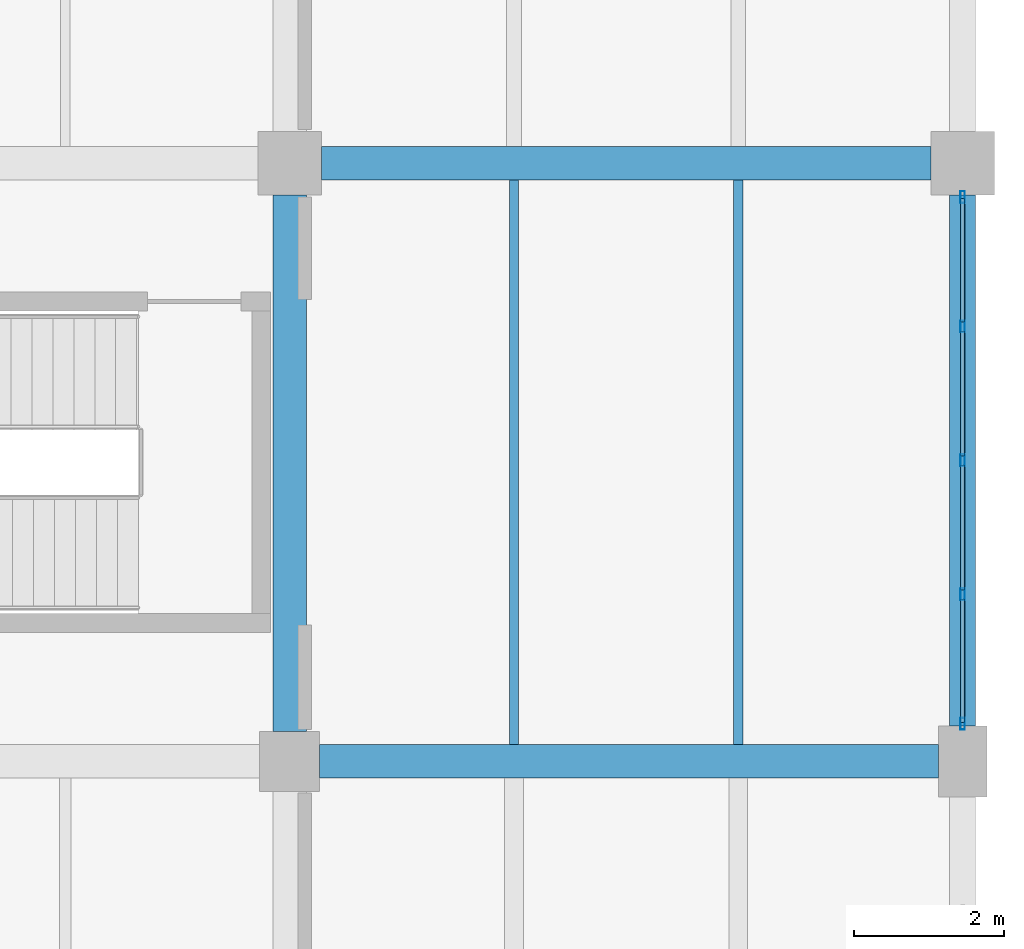
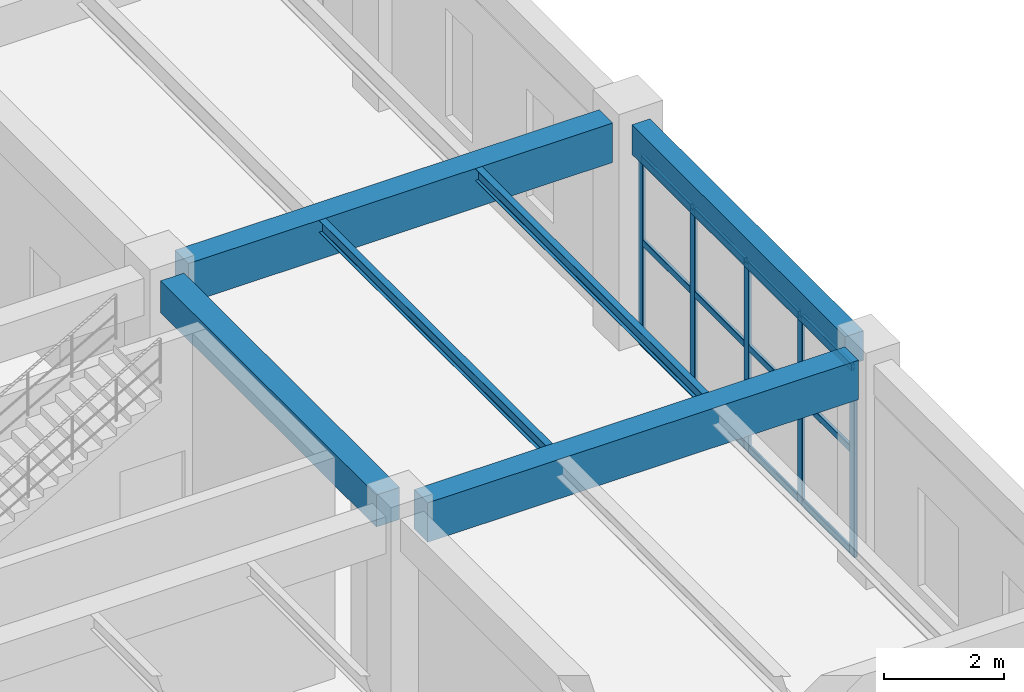
# One storey, part 118 of 178: 17 members, 6 beams, 1 element without a shape of its own.
"""IFC4 building model written with IfcOpenShell, lengths in metres."""

from ifc_helpers import new_model, si_unit, derived_unit, direction, frame, origin, origin_2d, place, context, subcontext, project, spatial, rectangle, hollow_rectangle, i_section, extrude, material, material_profile, profile_set, type_object, element, aggregate, save


model = new_model("IFC4")

# Units and contexts
model_context = context("Model", 3, precision=1e-05, world=origin(), true_north=direction((0.0, 1.0)))
body_context = subcontext(model_context, "Body", "Model", "MODEL_VIEW")
ifc_project = project(units=[si_unit("LENGTHUNIT", "METRE"), si_unit("AREAUNIT", "SQUARE_METRE"), si_unit("VOLUMEUNIT", "CUBIC_METRE"), si_unit("PLANEANGLEUNIT", "RADIAN"), si_unit("MASSUNIT", "GRAM", prefix="KILO"), derived_unit("THERMALTRANSMITTANCEUNIT", [(si_unit("MASSUNIT", "GRAM", prefix="KILO"), 1), (si_unit("TIMEUNIT", "SECOND"), -3), (si_unit("THERMODYNAMICTEMPERATUREUNIT", "KELVIN"), -1)])], contexts=[model_context])

# Site, building, storey
site_placement = place(None, origin())
site = spatial("IfcSite", under=ifc_project, at=site_placement, CompositionType="ELEMENT")
building_placement = place(site_placement, origin())
building = spatial("IfcBuilding", under=site, at=building_placement, Name="Zhenchuan Archway Interchange", CompositionType="ELEMENT")
storey_placement = place(building_placement, frame((0.0, 0.0, 5.39990234375)))
storey = spatial("IfcBuildingStorey", under=building, at=storey_placement, Name="L01", CompositionType="ELEMENT", Elevation=5.39990234375)

# Beams
ifc_material_1 = material(Name="Concrete C40", Category="concrete")
ifc_material_profile_1 = material_profile(ifc_material_1, rectangle(XDim=0.449951171875, YDim=0.64990234375, at=origin_2d()), Name="RC 450x650")
ifc_profile_set_1 = profile_set([ifc_material_profile_1], Name="Concrete C40")
beam_type_1 = type_object("IfcBeamType", Name="BM_RC_450x650", PredefinedType="BEAM", material=ifc_profile_set_1)
beam_1_placement = place(storey_placement, frame((162.0, 16.39990234375, 4.18505859375), z_axis=(0.0, 1.0, 0.0), x_axis=(-1.0, 0.0, 0.0)))
element("IfcBeam", 1, at=beam_1_placement, inside=storey, type_object=beam_type_1, Name="Beam 19:C-D (L01)", PredefinedType="BEAM", context=body_context, shape_type="SweptSolid", body=[
    extrude(rectangle(XDim=0.449951171875, YDim=0.64990234375, at=origin_2d()), origin(), (0.0, 0.0, 1.0), 7.175048828125),
])
ifc_material_profile_2 = material_profile(ifc_material_1, rectangle(XDim=0.449951171875, YDim=0.800048828125, at=origin_2d()), Name="RC 450x800")
ifc_profile_set_2 = profile_set([ifc_material_profile_2], Name="Concrete C40")
beam_type_2 = type_object("IfcBeamType", Name="BM_RC_450x800", PredefinedType="BEAM", material=ifc_profile_set_2)
beam_2_placement = place(storey_placement, frame((162.39990234375, 16.0, 4.110107421875), z_axis=(1.0, 0.0, 0.0), x_axis=(0.0, 1.0, 0.0)))
element("IfcBeam", 2, at=beam_2_placement, inside=storey, type_object=beam_type_2, Name="Beam C:19-20 (L01)", PredefinedType="BEAM", context=body_context, shape_type="SweptSolid", body=[
    extrude(rectangle(XDim=0.449951171875, YDim=0.800048828125, at=origin_2d()), origin(), (0.0, 0.0, 1.0), 8.275146484375),
])
beam_3_placement = place(storey_placement, frame((162.425048828125, 24.0, 4.110107421875), z_axis=(1.0, 0.0, 0.0), x_axis=(0.0, 1.0, 0.0)))
element("IfcBeam", 3, at=beam_3_placement, inside=storey, type_object=beam_type_2, Name="Beam D:19-20 (L01)", PredefinedType="BEAM", context=body_context, shape_type="SweptSolid", body=[
    extrude(rectangle(XDim=0.449951171875, YDim=0.800048828125, at=origin_2d()), origin(), (0.0, 0.0, 1.0), 8.14990234375),
])

# Curtain wall, members
ifc_material_2 = material(Name="Anodised Aluminium", Category="aluminium")
curtain_wall_type = type_object("IfcCurtainWallType", Name="CW_UNIT_1", PredefinedType="NOTDEFINED", material=ifc_material_2)
curtain_wall_placement = place(storey_placement, origin())
curtain_wall = element("IfcCurtainWall", 4, at=curtain_wall_placement, inside=storey, type_object=curtain_wall_type, Name="Unitised curtain wall CW:L01:068", PredefinedType="NOTDEFINED")
ifc_material_profile_3 = material_profile(ifc_material_2, hollow_rectangle(XDim=0.06005859375, YDim=0.159912109375, WallThickness=0.00390625, InnerFilletRadius=0.00390625, OuterFilletRadius=0.008056640625, at=origin_2d()), Name="ALU 160x60x4")
ifc_profile_set_3 = profile_set([ifc_material_profile_3], Name="Anodised Aluminium")
member_type_1 = type_object("IfcMemberType", Name="CW_MUL_150", PredefinedType="MULLION", material=ifc_profile_set_3)
member_1_placement = place(storey_placement, frame((171.0, 23.547119140625, 0.0), z_axis=(0.0, 0.0, 1.0), x_axis=(1.0, 0.0, 0.0)))
member_1 = element("IfcMember", 5, at=member_1_placement, type_object=member_type_1, Name="CW:L01:068 mullion 0", PredefinedType="MULLION", context=body_context, shape_type="SweptSolid", body=[
    extrude(hollow_rectangle(XDim=0.06005859375, YDim=0.159912109375, WallThickness=0.00390625, InnerFilletRadius=0.00390625, OuterFilletRadius=0.008056640625, at=origin_2d()), origin(), (0.0, 0.0, 1.0), 3.880126953125),
])
member_2_placement = place(storey_placement, frame((171.0, 21.81591796875, 0.0), z_axis=(0.0, 0.0, 1.0), x_axis=(1.0, 0.0, 0.0)))
member_2 = element("IfcMember", 6, at=member_2_placement, type_object=member_type_1, Name="CW:L01:068 mullion 1", PredefinedType="MULLION", context=body_context, shape_type="SweptSolid", body=[
    extrude(hollow_rectangle(XDim=0.06005859375, YDim=0.159912109375, WallThickness=0.00390625, InnerFilletRadius=0.00390625, OuterFilletRadius=0.008056640625, at=origin_2d()), origin(), (0.0, 0.0, 1.0), 3.880126953125),
])
member_3_placement = place(storey_placement, frame((171.0, 20.02490234375, 0.0), z_axis=(0.0, 0.0, 1.0), x_axis=(1.0, 0.0, 0.0)))
member_3 = element("IfcMember", 7, at=member_3_placement, type_object=member_type_1, Name="CW:L01:068 mullion 2", PredefinedType="MULLION", context=body_context, shape_type="SweptSolid", body=[
    extrude(hollow_rectangle(XDim=0.06005859375, YDim=0.159912109375, WallThickness=0.00390625, InnerFilletRadius=0.00390625, OuterFilletRadius=0.008056640625, at=origin_2d()), origin(), (0.0, 0.0, 1.0), 3.880126953125),
])
member_4_placement = place(storey_placement, frame((171.0, 18.23388671875, 0.0), z_axis=(0.0, 0.0, 1.0), x_axis=(1.0, 0.0, 0.0)))
member_4 = element("IfcMember", 8, at=member_4_placement, type_object=member_type_1, Name="CW:L01:068 mullion 3", PredefinedType="MULLION", context=body_context, shape_type="SweptSolid", body=[
    extrude(hollow_rectangle(XDim=0.06005859375, YDim=0.159912109375, WallThickness=0.00390625, InnerFilletRadius=0.00390625, OuterFilletRadius=0.008056640625, at=origin_2d()), origin(), (0.0, 0.0, 1.0), 3.880126953125),
])
member_5_placement = place(storey_placement, frame((171.0, 16.5029296875, 0.0), z_axis=(0.0, 0.0, 1.0), x_axis=(1.0, 0.0, 0.0)))
member_5 = element("IfcMember", 9, at=member_5_placement, type_object=member_type_1, Name="CW:L01:068 mullion 4", PredefinedType="MULLION", context=body_context, shape_type="SweptSolid", body=[
    extrude(hollow_rectangle(XDim=0.06005859375, YDim=0.159912109375, WallThickness=0.00390625, InnerFilletRadius=0.00390625, OuterFilletRadius=0.008056640625, at=origin_2d()), origin(), (0.0, 0.0, 1.0), 3.880126953125),
])
ifc_material_profile_4 = material_profile(ifc_material_2, hollow_rectangle(XDim=0.06005859375, YDim=0.139892578125, WallThickness=0.00341796875, InnerFilletRadius=0.00341796875, OuterFilletRadius=0.007080078125, at=origin_2d()), Name="ALU 140x60x3.5")
ifc_profile_set_4 = profile_set([ifc_material_profile_4], Name="Anodised Aluminium")
member_type_2 = type_object("IfcMemberType", Name="CW_TRN_140", PredefinedType="USERDEFINED", material=ifc_profile_set_4)
member_6_placement = place(storey_placement, frame((171.0, 23.527099609375, 0.06005859375), z_axis=(0.0, -1.0, 0.0), x_axis=(1.0, 0.0, 0.0)))
member_6 = element("IfcMember", 10, at=member_6_placement, type_object=member_type_2, Name="CW:L01:068 transom 0-1", ObjectType="TRANSOM", PredefinedType="USERDEFINED", context=body_context, shape_type="SweptSolid", body=[
    extrude(hollow_rectangle(XDim=0.06005859375, YDim=0.139892578125, WallThickness=0.00341796875, InnerFilletRadius=0.00341796875, OuterFilletRadius=0.007080078125, at=origin_2d()), origin(), (0.0, 0.0, 1.0), 1.651123046875),
])
member_7_placement = place(storey_placement, frame((171.0, 23.527099609375, 2.123046875), z_axis=(0.0, -1.0, 0.0), x_axis=(1.0, 0.0, 0.0)))
member_7 = element("IfcMember", 11, at=member_7_placement, type_object=member_type_2, Name="CW:L01:068 transom 0-2", ObjectType="TRANSOM", PredefinedType="USERDEFINED", context=body_context, shape_type="SweptSolid", body=[
    extrude(hollow_rectangle(XDim=0.06005859375, YDim=0.139892578125, WallThickness=0.00341796875, InnerFilletRadius=0.00341796875, OuterFilletRadius=0.007080078125, at=origin_2d()), origin(), (0.0, 0.0, 1.0), 1.651123046875),
])
member_8_placement = place(storey_placement, frame((171.0, 23.527099609375, 3.800048828125), z_axis=(0.0, -1.0, 0.0), x_axis=(1.0, 0.0, 0.0)))
member_8 = element("IfcMember", 12, at=member_8_placement, type_object=member_type_2, Name="CW:L01:068 transom 0-3", ObjectType="TRANSOM", PredefinedType="USERDEFINED", context=body_context, shape_type="SweptSolid", body=[
    extrude(hollow_rectangle(XDim=0.06005859375, YDim=0.139892578125, WallThickness=0.00341796875, InnerFilletRadius=0.00341796875, OuterFilletRadius=0.007080078125, at=origin_2d()), origin(), (0.0, 0.0, 1.0), 1.651123046875),
])
member_9_placement = place(storey_placement, frame((171.0, 21.756103515625, 0.06005859375), z_axis=(0.0, -1.0, 0.0), x_axis=(1.0, 0.0, 0.0)))
member_9 = element("IfcMember", 13, at=member_9_placement, type_object=member_type_2, Name="CW:L01:068 transom 1-1", ObjectType="TRANSOM", PredefinedType="USERDEFINED", context=body_context, shape_type="SweptSolid", body=[
    extrude(hollow_rectangle(XDim=0.06005859375, YDim=0.139892578125, WallThickness=0.00341796875, InnerFilletRadius=0.00341796875, OuterFilletRadius=0.007080078125, at=origin_2d()), origin(), (0.0, 0.0, 1.0), 1.671142578125),
])
member_10_placement = place(storey_placement, frame((171.0, 21.756103515625, 2.123046875), z_axis=(0.0, -1.0, 0.0), x_axis=(1.0, 0.0, 0.0)))
member_10 = element("IfcMember", 14, at=member_10_placement, type_object=member_type_2, Name="CW:L01:068 transom 1-2", ObjectType="TRANSOM", PredefinedType="USERDEFINED", context=body_context, shape_type="SweptSolid", body=[
    extrude(hollow_rectangle(XDim=0.06005859375, YDim=0.139892578125, WallThickness=0.00341796875, InnerFilletRadius=0.00341796875, OuterFilletRadius=0.007080078125, at=origin_2d()), origin(), (0.0, 0.0, 1.0), 1.671142578125),
])
member_11_placement = place(storey_placement, frame((171.0, 21.756103515625, 3.800048828125), z_axis=(0.0, -1.0, 0.0), x_axis=(1.0, 0.0, 0.0)))
member_11 = element("IfcMember", 15, at=member_11_placement, type_object=member_type_2, Name="CW:L01:068 transom 1-3", ObjectType="TRANSOM", PredefinedType="USERDEFINED", context=body_context, shape_type="SweptSolid", body=[
    extrude(hollow_rectangle(XDim=0.06005859375, YDim=0.139892578125, WallThickness=0.00341796875, InnerFilletRadius=0.00341796875, OuterFilletRadius=0.007080078125, at=origin_2d()), origin(), (0.0, 0.0, 1.0), 1.671142578125),
])
member_12_placement = place(storey_placement, frame((171.0, 19.965087890625, 0.06005859375), z_axis=(0.0, -1.0, 0.0), x_axis=(1.0, 0.0, 0.0)))
member_12 = element("IfcMember", 16, at=member_12_placement, type_object=member_type_2, Name="CW:L01:068 transom 2-1", ObjectType="TRANSOM", PredefinedType="USERDEFINED", context=body_context, shape_type="SweptSolid", body=[
    extrude(hollow_rectangle(XDim=0.06005859375, YDim=0.139892578125, WallThickness=0.00341796875, InnerFilletRadius=0.00341796875, OuterFilletRadius=0.007080078125, at=origin_2d()), origin(), (0.0, 0.0, 1.0), 1.671142578125),
])
member_13_placement = place(storey_placement, frame((171.0, 19.965087890625, 2.123046875), z_axis=(0.0, -1.0, 0.0), x_axis=(1.0, 0.0, 0.0)))
member_13 = element("IfcMember", 17, at=member_13_placement, type_object=member_type_2, Name="CW:L01:068 transom 2-2", ObjectType="TRANSOM", PredefinedType="USERDEFINED", context=body_context, shape_type="SweptSolid", body=[
    extrude(hollow_rectangle(XDim=0.06005859375, YDim=0.139892578125, WallThickness=0.00341796875, InnerFilletRadius=0.00341796875, OuterFilletRadius=0.007080078125, at=origin_2d()), origin(), (0.0, 0.0, 1.0), 1.671142578125),
])
member_14_placement = place(storey_placement, frame((171.0, 19.965087890625, 3.800048828125), z_axis=(0.0, -1.0, 0.0), x_axis=(1.0, 0.0, 0.0)))
member_14 = element("IfcMember", 18, at=member_14_placement, type_object=member_type_2, Name="CW:L01:068 transom 2-3", ObjectType="TRANSOM", PredefinedType="USERDEFINED", context=body_context, shape_type="SweptSolid", body=[
    extrude(hollow_rectangle(XDim=0.06005859375, YDim=0.139892578125, WallThickness=0.00341796875, InnerFilletRadius=0.00341796875, OuterFilletRadius=0.007080078125, at=origin_2d()), origin(), (0.0, 0.0, 1.0), 1.671142578125),
])
member_15_placement = place(storey_placement, frame((171.0, 18.174072265625, 0.06005859375), z_axis=(0.0, -1.0, 0.0), x_axis=(1.0, 0.0, 0.0)))
member_15 = element("IfcMember", 19, at=member_15_placement, type_object=member_type_2, Name="CW:L01:068 transom 3-1", ObjectType="TRANSOM", PredefinedType="USERDEFINED", context=body_context, shape_type="SweptSolid", body=[
    extrude(hollow_rectangle(XDim=0.06005859375, YDim=0.139892578125, WallThickness=0.00341796875, InnerFilletRadius=0.00341796875, OuterFilletRadius=0.007080078125, at=origin_2d()), origin(), (0.0, 0.0, 1.0), 1.651123046875),
])
member_16_placement = place(storey_placement, frame((171.0, 18.174072265625, 2.123046875), z_axis=(0.0, -1.0, 0.0), x_axis=(1.0, 0.0, 0.0)))
member_16 = element("IfcMember", 20, at=member_16_placement, type_object=member_type_2, Name="CW:L01:068 transom 3-2", ObjectType="TRANSOM", PredefinedType="USERDEFINED", context=body_context, shape_type="SweptSolid", body=[
    extrude(hollow_rectangle(XDim=0.06005859375, YDim=0.139892578125, WallThickness=0.00341796875, InnerFilletRadius=0.00341796875, OuterFilletRadius=0.007080078125, at=origin_2d()), origin(), (0.0, 0.0, 1.0), 1.651123046875),
])
member_17_placement = place(storey_placement, frame((171.0, 18.174072265625, 3.800048828125), z_axis=(0.0, -1.0, 0.0), x_axis=(1.0, 0.0, 0.0)))
member_17 = element("IfcMember", 21, at=member_17_placement, type_object=member_type_2, Name="CW:L01:068 transom 3-3", ObjectType="TRANSOM", PredefinedType="USERDEFINED", context=body_context, shape_type="SweptSolid", body=[
    extrude(hollow_rectangle(XDim=0.06005859375, YDim=0.139892578125, WallThickness=0.00341796875, InnerFilletRadius=0.00341796875, OuterFilletRadius=0.007080078125, at=origin_2d()), origin(), (0.0, 0.0, 1.0), 1.651123046875),
])
aggregate(curtain_wall, [member_1, member_2, member_3, member_4, member_5, member_6, member_7, member_8, member_9, member_10, member_11, member_12, member_13, member_14, member_15, member_16, member_17])

# Beams
ifc_material_3 = material(Name="Steel Q355", Category="steel")
ifc_material_profile_5 = material_profile(ifc_material_3, i_section(OverallWidth=0.125, OverallDepth=0.25, WebThickness=0.006103515625, FlangeThickness=0.009033203125, FilletRadius=0.011962890625, at=origin_2d()), Name="HN 250x125")
ifc_profile_set_5 = profile_set([ifc_material_profile_5], Name="Steel Q355")
beam_type_3 = type_object("IfcBeamType", Name="JST_STL_HN250", PredefinedType="JOIST", material=ifc_profile_set_5)
for number, where, z_axis, x_axis, name in (
    (22, (165.0, 16.22509765625, 4.385009765625), (0.0, 1.0, 0.0), (-1.0, 0.0, 0.0), "Secondary joist 19-20/C-D #1 (L01)"),
    (23, (168.0, 16.22509765625, 4.385009765625), (0.0, 1.0, 0.0), (-1.0, 0.0, 0.0), "Secondary joist 19-20/C-D #2 (L01)"),
):
    element("IfcBeam", number, at=place(storey_placement, frame(where, z_axis=z_axis, x_axis=x_axis)), inside=storey, type_object=beam_type_3, Name=name, PredefinedType="JOIST", context=body_context, shape_type="SweptSolid", body=[
        extrude(i_section(OverallWidth=0.125, OverallDepth=0.25, WebThickness=0.006103515625, FlangeThickness=0.009033203125, FilletRadius=0.011962890625, at=origin_2d()), origin(), (0.0, 0.0, 1.0), 7.5498046875),
    ])
ifc_material_profile_6 = material_profile(ifc_material_1, rectangle(XDim=0.35009765625, YDim=0.60009765625, at=origin_2d()), Name="RC 350x600")
ifc_profile_set_6 = profile_set([ifc_material_profile_6], Name="Concrete C40")
beam_type_4 = type_object("IfcBeamType", Name="SP_RC_350x600", PredefinedType="SPANDREL", material=ifc_profile_set_6)
beam_4_placement = place(storey_placement, frame((171.0, 16.47509765625, 4.210205078125), z_axis=(0.0, 1.0, 0.0), x_axis=(-1.0, 0.0, 0.0)))
element("IfcBeam", 24, at=beam_4_placement, inside=storey, type_object=beam_type_4, Name="Beam 20:C-D (L01)", PredefinedType="SPANDREL", context=body_context, shape_type="SweptSolid", body=[
    extrude(rectangle(XDim=0.35009765625, YDim=0.60009765625, at=origin_2d()), origin(), (0.0, 0.0, 1.0), 7.099853515625),
])

save(model, "model.ifc")
